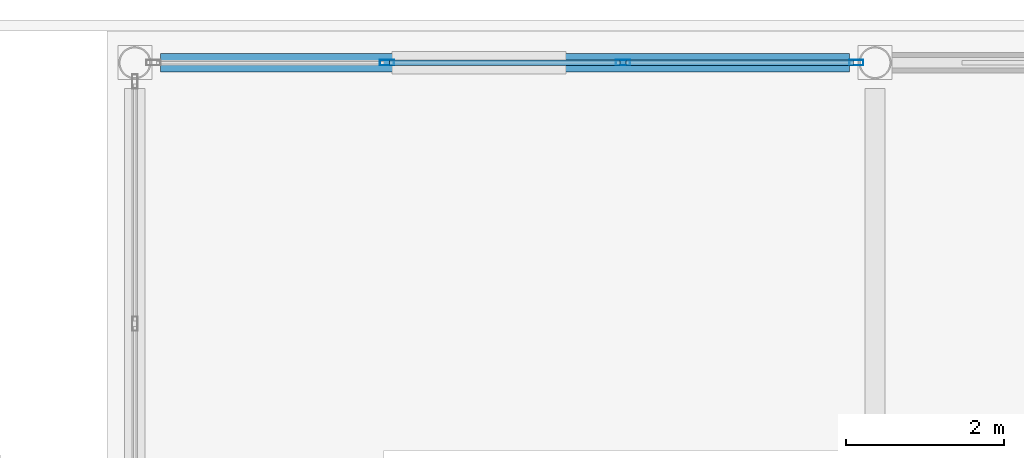
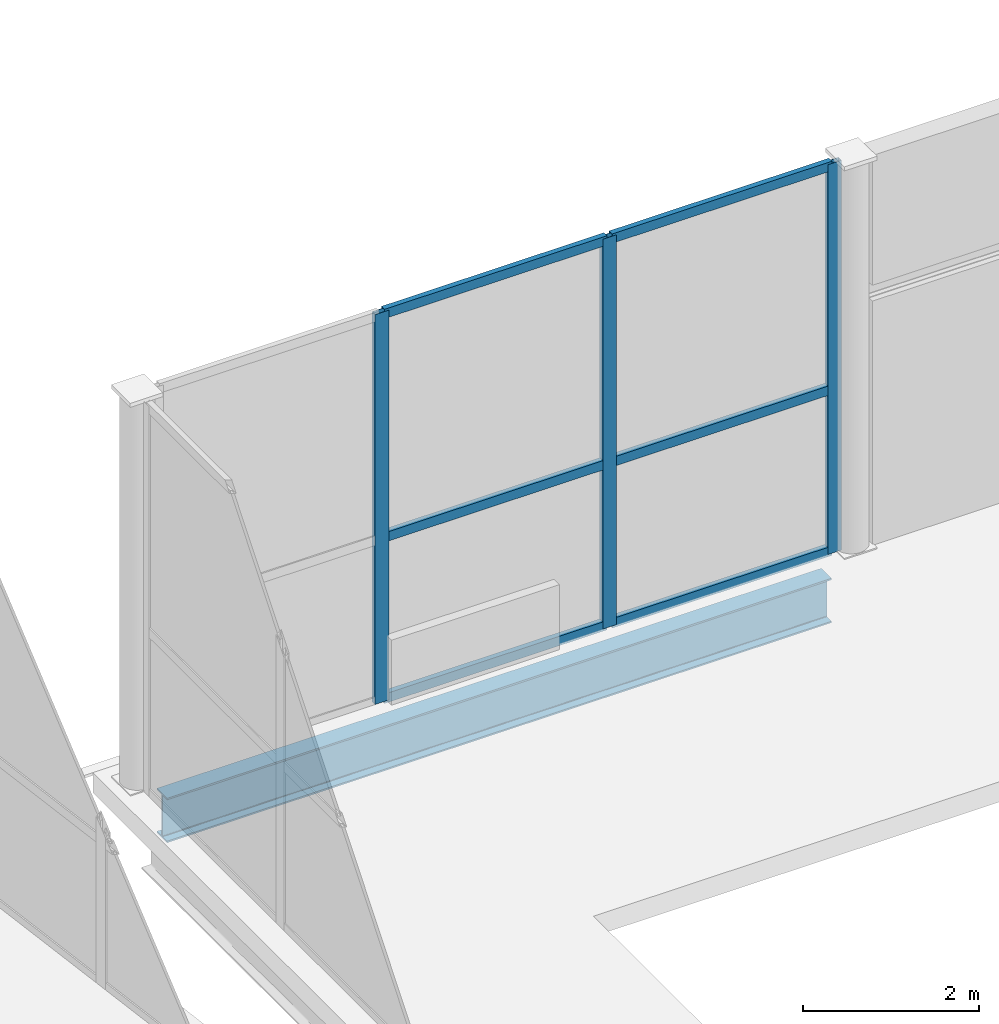
# One storey, part 39 of 83: 9 members, 1 beam, 1 element without a shape of its own.
"""IFC4 building model written with IfcOpenShell, lengths in metres."""

from ifc_helpers import new_model, si_unit, direction, frame, origin, origin_2d, place, context, subcontext, project, spatial, hollow_rectangle, i_section, extrude, material, layer, layer_set, material_profile, profile_set, type_object, element, aggregate, save


model = new_model("IFC4")

# Units and contexts
model_context = context("Model", 3, precision=1e-05, world=origin(), true_north=direction((0.0, 1.0)))
body_context = subcontext(model_context, "Body", "Model", "MODEL_VIEW")
ifc_project = project(units=[si_unit("LENGTHUNIT", "METRE"), si_unit("AREAUNIT", "SQUARE_METRE"), si_unit("VOLUMEUNIT", "CUBIC_METRE"), si_unit("PLANEANGLEUNIT", "RADIAN"), si_unit("MASSUNIT", "GRAM", prefix="KILO")], contexts=[model_context])

# Site, building, storey
site_placement = place(None, origin())
site = spatial("IfcSite", under=ifc_project, at=site_placement, CompositionType="ELEMENT")
building_placement = place(site_placement, origin())
building = spatial("IfcBuilding", under=site, at=building_placement, Name="Quillay Park Conservatory", CompositionType="ELEMENT")
storey_placement = place(building_placement, origin())
storey = spatial("IfcBuildingStorey", under=building, at=storey_placement, Name="L00", CompositionType="ELEMENT", Elevation=0.0)

# Curtain wall, members
ifc_material_1 = material(Name="Thermally Broken Anodised Aluminium 6063-T6", Category="aluminium")
ifc_layer = layer(ifc_material_1, 0.219970703125)
ifc_layer_set = layer_set([ifc_layer], Name="UNITISED CURTAIN WALL CONSERVATORY (Thermally Broken Anodised Aluminium 6063-T6)")
curtain_wall_type = type_object("IfcCurtainWallType", Name="UNITISED CURTAIN WALL CONSERVATORY", PredefinedType="USERDEFINED", material=ifc_layer_set)
curtain_wall_placement = place(storey_placement, origin())
curtain_wall = element("IfcCurtainWall", 1, at=curtain_wall_placement, inside=storey, type_object=curtain_wall_type, Name="L00 Unitised Curtain Wall 147", ObjectType="UNITISED CURTAIN WALL", PredefinedType="USERDEFINED")
ifc_material_2 = material(Name="Thermally Broken Anodised Aluminium 6063-T6", Category="aluminium")
ifc_material_profile_1 = material_profile(ifc_material_2, hollow_rectangle(XDim=0.070068359375, YDim=0.179931640625, WallThickness=0.00390625, at=origin_2d()), Name="AL70x180x4")
ifc_profile_set_1 = profile_set([ifc_material_profile_1], Name="Thermally Broken Anodised Aluminium 6063-T6")
member_type_1 = type_object("IfcMemberType", Name="CURTAIN WALL MULLION 70 X180", PredefinedType="MULLION", material=ifc_profile_set_1)
member_1_placement = place(storey_placement, frame((33.8359375, 113.39990234375, 0.0), z_axis=(0.0, 0.0, 1.0), x_axis=(0.0, 1.0, 0.0)))
member_1 = element("IfcMember", 2, at=member_1_placement, type_object=member_type_1, Name="CW-C1 mullion 2", PredefinedType="MULLION", context=body_context, shape_type="SweptSolid", body=[
    extrude(hollow_rectangle(XDim=0.070068359375, YDim=0.179931640625, WallThickness=0.00390625, at=origin_2d()), origin(), (0.0, 0.0, 1.0), 5.39990234375),
])
member_2_placement = place(storey_placement, frame((36.81982421875, 113.39990234375, 0.0), z_axis=(0.0, 0.0, 1.0), x_axis=(0.0, 1.0, 0.0)))
member_2 = element("IfcMember", 3, at=member_2_placement, type_object=member_type_1, Name="CW-C1 mullion 3", PredefinedType="MULLION", context=body_context, shape_type="SweptSolid", body=[
    extrude(hollow_rectangle(XDim=0.070068359375, YDim=0.179931640625, WallThickness=0.00390625, at=origin_2d()), origin(), (0.0, 0.0, 1.0), 5.39990234375),
])
member_3_placement = place(storey_placement, frame((39.7685546875, 113.39990234375, 0.0), z_axis=(0.0, 0.0, 1.0), x_axis=(0.0, 1.0, 0.0)))
member_3 = element("IfcMember", 4, at=member_3_placement, type_object=member_type_1, Name="CW-C1 mullion 4", PredefinedType="MULLION", context=body_context, shape_type="SweptSolid", body=[
    extrude(hollow_rectangle(XDim=0.070068359375, YDim=0.179931640625, WallThickness=0.00390625, at=origin_2d()), origin(), (0.0, 0.0, 1.0), 5.39990234375),
])
ifc_material_3 = material(Name="Thermally Broken Anodised Aluminium 6063-T6", Category="aluminium")
ifc_material_profile_2 = material_profile(ifc_material_3, hollow_rectangle(XDim=0.070068359375, YDim=0.1298828125, WallThickness=0.003173828125, at=origin_2d()), Name="AL70x130x3.2")
ifc_profile_set_2 = profile_set([ifc_material_profile_2], Name="Thermally Broken Anodised Aluminium 6063-T6")
member_type_2 = type_object("IfcMemberType", Name="CURTAIN WALL TRANSOM 70 X130", PredefinedType="USERDEFINED", material=ifc_profile_set_2)
member_4_placement = place(storey_placement, frame((33.870849609375, 113.39990234375, 0.034912109375), z_axis=(1.0, 0.0, 0.0), x_axis=(0.0, 1.0, 0.0)))
member_4 = element("IfcMember", 5, at=member_4_placement, type_object=member_type_2, Name="CW-C1 transom 2.1", ObjectType="TRANSOM", PredefinedType="USERDEFINED", context=body_context, shape_type="SweptSolid", body=[
    extrude(hollow_rectangle(XDim=0.070068359375, YDim=0.1298828125, WallThickness=0.003173828125, at=origin_2d()), origin(), (0.0, 0.0, 1.0), 2.913818359375),
])
member_5_placement = place(storey_placement, frame((33.870849609375, 113.39990234375, 2.26806640625), z_axis=(1.0, 0.0, 0.0), x_axis=(0.0, 1.0, 0.0)))
member_5 = element("IfcMember", 6, at=member_5_placement, type_object=member_type_2, Name="CW-C1 transom 2.2", ObjectType="TRANSOM", PredefinedType="USERDEFINED", context=body_context, shape_type="SweptSolid", body=[
    extrude(hollow_rectangle(XDim=0.070068359375, YDim=0.1298828125, WallThickness=0.003173828125, at=origin_2d()), origin(), (0.0, 0.0, 1.0), 2.913818359375),
])
member_6_placement = place(storey_placement, frame((33.870849609375, 113.39990234375, 5.364990234375), z_axis=(1.0, 0.0, 0.0), x_axis=(0.0, 1.0, 0.0)))
member_6 = element("IfcMember", 7, at=member_6_placement, type_object=member_type_2, Name="CW-C1 transom 2.3", ObjectType="TRANSOM", PredefinedType="USERDEFINED", context=body_context, shape_type="SweptSolid", body=[
    extrude(hollow_rectangle(XDim=0.070068359375, YDim=0.1298828125, WallThickness=0.003173828125, at=origin_2d()), origin(), (0.0, 0.0, 1.0), 2.913818359375),
])
member_7_placement = place(storey_placement, frame((36.854736328125, 113.39990234375, 0.034912109375), z_axis=(1.0, 0.0, 0.0), x_axis=(0.0, 1.0, 0.0)))
member_7 = element("IfcMember", 8, at=member_7_placement, type_object=member_type_2, Name="CW-C1 transom 3.1", ObjectType="TRANSOM", PredefinedType="USERDEFINED", context=body_context, shape_type="SweptSolid", body=[
    extrude(hollow_rectangle(XDim=0.070068359375, YDim=0.1298828125, WallThickness=0.003173828125, at=origin_2d()), origin(), (0.0, 0.0, 1.0), 2.87890625),
])
member_8_placement = place(storey_placement, frame((36.854736328125, 113.39990234375, 2.26806640625), z_axis=(1.0, 0.0, 0.0), x_axis=(0.0, 1.0, 0.0)))
member_8 = element("IfcMember", 9, at=member_8_placement, type_object=member_type_2, Name="CW-C1 transom 3.2", ObjectType="TRANSOM", PredefinedType="USERDEFINED", context=body_context, shape_type="SweptSolid", body=[
    extrude(hollow_rectangle(XDim=0.070068359375, YDim=0.1298828125, WallThickness=0.003173828125, at=origin_2d()), origin(), (0.0, 0.0, 1.0), 2.87890625),
])
member_9_placement = place(storey_placement, frame((36.854736328125, 113.39990234375, 5.364990234375), z_axis=(1.0, 0.0, 0.0), x_axis=(0.0, 1.0, 0.0)))
member_9 = element("IfcMember", 10, at=member_9_placement, type_object=member_type_2, Name="CW-C1 transom 3.3", ObjectType="TRANSOM", PredefinedType="USERDEFINED", context=body_context, shape_type="SweptSolid", body=[
    extrude(hollow_rectangle(XDim=0.070068359375, YDim=0.1298828125, WallThickness=0.003173828125, at=origin_2d()), origin(), (0.0, 0.0, 1.0), 2.87890625),
])
aggregate(curtain_wall, [member_1, member_2, member_3, member_4, member_5, member_6, member_7, member_8, member_9])

# Beam
ifc_material_4 = material(Name="Steel ASTM A992 Grade 50", Category="steel")
ifc_material_profile_3 = material_profile(ifc_material_4, i_section(OverallWidth=0.22998046875, OverallDepth=0.616943359375, WebThickness=0.01318359375, FlangeThickness=0.022216796875, FilletRadius=0.014892578125, at=origin_2d()), Name="W610x140")
ifc_profile_set_3 = profile_set([ifc_material_profile_3], Name="Steel ASTM A992 Grade 50")
beam_type = type_object("IfcBeamType", Name="PRIMARY FLOOR GIRDER W610 X140", PredefinedType="BEAM", material=ifc_profile_set_3)
beam_placement = place(storey_placement, frame((30.97509765625, 113.39990234375, -0.58837890625), z_axis=(1.0, 0.0, 0.0), x_axis=(0.0, 1.0, 0.0)))
element("IfcBeam", 11, at=beam_placement, inside=storey, type_object=beam_type, Name="L00 beam BM-V1L0-1620", PredefinedType="BEAM", context=body_context, shape_type="SweptSolid", body=[
    extrude(i_section(OverallWidth=0.22998046875, OverallDepth=0.616943359375, WebThickness=0.01318359375, FlangeThickness=0.022216796875, FilletRadius=0.014892578125, at=origin_2d()), origin(), (0.0, 0.0, 1.0), 8.70556640625),
])

save(model, "model.ifc")
